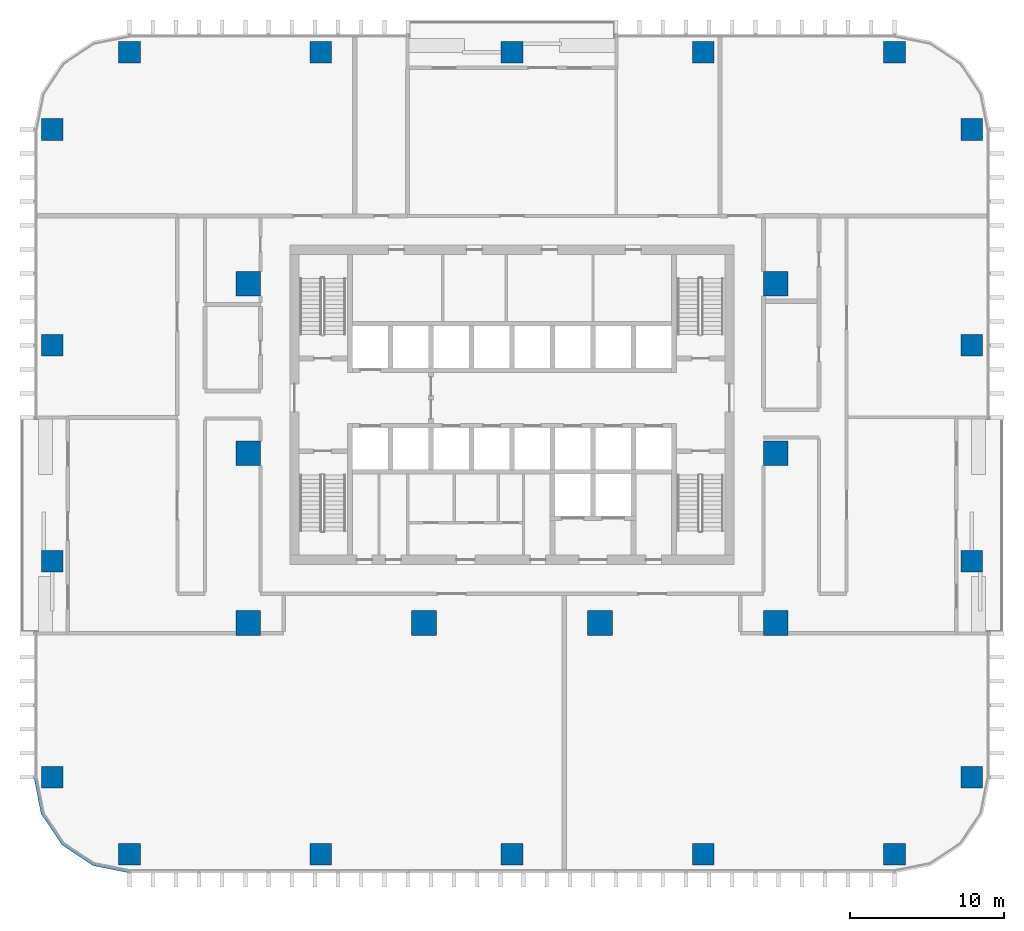
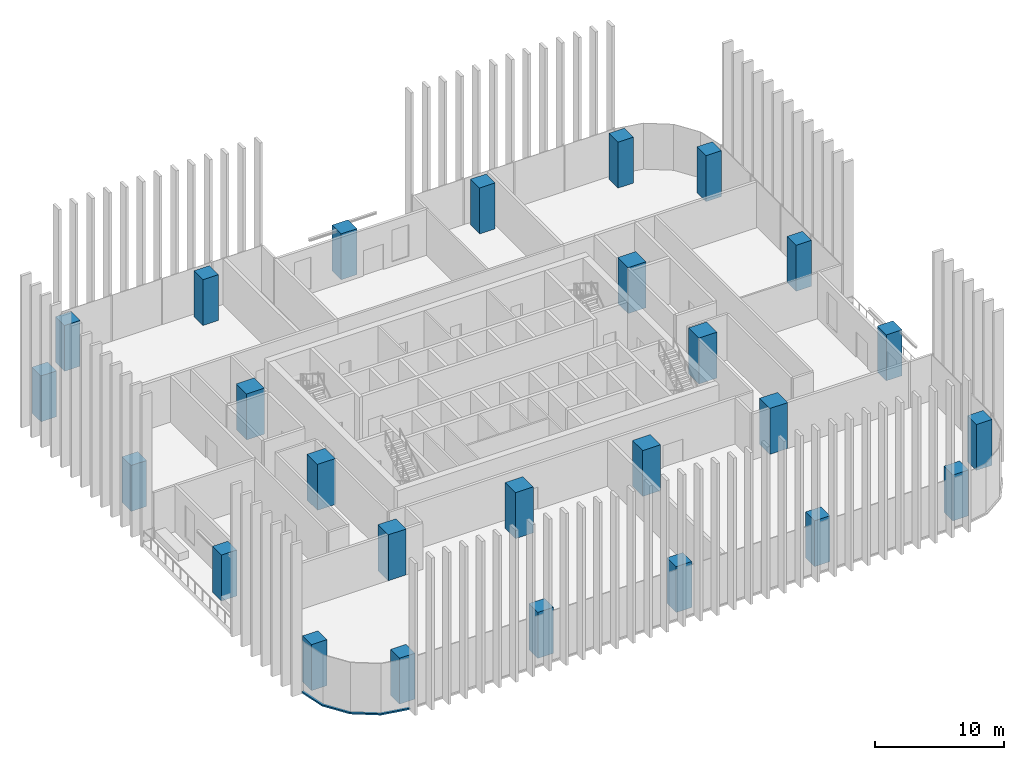
# One storey, part 1 of 17: 26 columns, 1 member, 1 element without a shape of its own.
"""IFC4 building model written with IfcOpenShell, lengths in metres."""

from ifc_helpers import new_model, si_unit, direction, frame, origin, origin_2d, place, context, subcontext, project, spatial, polyline, rectangle, outline, extrude, material, material_profile, profile_set, type_object, element, aggregate, save


model = new_model("IFC4")

# Units and contexts
model_context = context("Model", 3, precision=1e-05, world=origin(), true_north=direction((0.0, 1.0)))
body_context = subcontext(model_context, "Body", "Model", "MODEL_VIEW")
ifc_project = project(units=[si_unit("LENGTHUNIT", "METRE"), si_unit("AREAUNIT", "SQUARE_METRE"), si_unit("VOLUMEUNIT", "CUBIC_METRE"), si_unit("PLANEANGLEUNIT", "RADIAN"), si_unit("MASSUNIT", "GRAM", prefix="KILO")], contexts=[model_context])

# Site, building, storey
site_placement = place(None, origin())
site = spatial("IfcSite", under=ifc_project, at=site_placement, CompositionType="ELEMENT")
building_placement = place(site_placement, origin())
building = spatial("IfcBuilding", under=site, at=building_placement, Name="Mopane Tessera Tower", CompositionType="ELEMENT")
storey_placement = place(building_placement, frame((0.0, 0.0, 31.0)))
storey = spatial("IfcBuildingStorey", under=building, at=storey_placement, Name="L05", CompositionType="ELEMENT", Elevation=31.0)

# Columns
ifc_material_1 = material(Name="Concrete C60/75", Category="concrete")
ifc_material_profile_1 = material_profile(ifc_material_1, rectangle(XDim=1.60009765625, YDim=1.60009765625, at=origin_2d()))
ifc_profile_set_1 = profile_set([ifc_material_profile_1], Name="Concrete C60/75")
column_type_1 = type_object("IfcColumnType", Name="Interior column 1600 x 1600 C60/75", PredefinedType="COLUMN", material=ifc_profile_set_1)
for number, where, z_axis, x_axis, name in (
    (1, (-17.10009765625, -11.0, 0.0), (0.0, 0.0, 1.0), (1.0, 0.0, 0.0), "Interior column I1A L05"),
    (2, (-17.10009765625, 0.0, 0.0), (0.0, 0.0, 1.0), (1.0, 0.0, 0.0), "Interior column I1B L05"),
    (3, (-17.10009765625, 11.0, 0.0), (0.0, 0.0, 1.0), (1.0, 0.0, 0.0), "Interior column I1C L05"),
    (4, (-5.699951171875, -11.0, 0.0), (0.0, 0.0, 1.0), (1.0, 0.0, 0.0), "Interior column I2A L05"),
    (5, (5.699951171875, -11.0, 0.0), (0.0, 0.0, 1.0), (1.0, 0.0, 0.0), "Interior column I3A L05"),
    (6, (17.10009765625, -11.0, 0.0), (0.0, 0.0, 1.0), (1.0, 0.0, 0.0), "Interior column I4A L05"),
    (7, (17.10009765625, 0.0, 0.0), (0.0, 0.0, 1.0), (1.0, 0.0, 0.0), "Interior column I4B L05"),
    (8, (17.10009765625, 11.0, 0.0), (0.0, 0.0, 1.0), (1.0, 0.0, 0.0), "Interior column I4C L05"),
):
    element("IfcColumn", number, at=place(storey_placement, frame(where, z_axis=z_axis, x_axis=x_axis)), inside=storey, type_object=column_type_1, Name=name, PredefinedType="COLUMN", context=body_context, shape_type="SweptSolid", body=[
        extrude(rectangle(XDim=1.60009765625, YDim=1.60009765625, at=origin_2d()), origin(), (0.0, 0.0, 1.0), 4.35009765625),
    ])
ifc_material_2 = material(Name="Concrete C60/75", Category="concrete")
ifc_material_profile_2 = material_profile(ifc_material_2, rectangle(XDim=1.39990234375, YDim=1.39990234375, at=origin_2d()))
ifc_profile_set_2 = profile_set([ifc_material_profile_2], Name="Concrete C60/75")
column_type_2 = type_object("IfcColumnType", Name="Ring column 1400 x 1400 C60/75", PredefinedType="COLUMN", material=ifc_profile_set_2)
for number, where, z_axis, x_axis, name in (
    (9, (-24.800048828125, -26.0, 0.0), (0.0, 0.0, 1.0), (1.0, 0.0, 0.0), "Ring column S0 L05"),
    (10, (-12.39990234375, -26.0, 0.0), (0.0, 0.0, 1.0), (1.0, 0.0, 0.0), "Ring column S1 L05"),
    (11, (0.0, -26.0, 0.0), (0.0, 0.0, 1.0), (1.0, 0.0, 0.0), "Ring column S2 L05"),
    (12, (12.39990234375, -26.0, 0.0), (0.0, 0.0, 1.0), (1.0, 0.0, 0.0), "Ring column S3 L05"),
    (13, (24.800048828125, -26.0, 0.0), (0.0, 0.0, 1.0), (1.0, 0.0, 0.0), "Ring column S4 L05"),
    (14, (29.800048828125, -21.0, 0.0), (0.0, 0.0, 1.0), (1.0, 0.0, 0.0), "Ring column E0 L05"),
    (15, (29.800048828125, -7.0, 0.0), (0.0, 0.0, 1.0), (1.0, 0.0, 0.0), "Ring column E1 L05"),
    (16, (29.800048828125, 7.0, 0.0), (0.0, 0.0, 1.0), (1.0, 0.0, 0.0), "Ring column E2 L05"),
    (17, (29.800048828125, 21.0, 0.0), (0.0, 0.0, 1.0), (1.0, 0.0, 0.0), "Ring column E3 L05"),
    (18, (24.800048828125, 26.0, 0.0), (0.0, 0.0, 1.0), (1.0, 0.0, 0.0), "Ring column N0 L05"),
    (19, (12.39990234375, 26.0, 0.0), (0.0, 0.0, 1.0), (1.0, 0.0, 0.0), "Ring column N1 L05"),
    (20, (0.0, 26.0, 0.0), (0.0, 0.0, 1.0), (1.0, 0.0, 0.0), "Ring column N2 L05"),
    (21, (-12.39990234375, 26.0, 0.0), (0.0, 0.0, 1.0), (1.0, 0.0, 0.0), "Ring column N3 L05"),
    (22, (-24.800048828125, 26.0, 0.0), (0.0, 0.0, 1.0), (1.0, 0.0, 0.0), "Ring column N4 L05"),
    (23, (-29.800048828125, 21.0, 0.0), (0.0, 0.0, 1.0), (1.0, 0.0, 0.0), "Ring column W0 L05"),
    (24, (-29.800048828125, 7.0, 0.0), (0.0, 0.0, 1.0), (1.0, 0.0, 0.0), "Ring column W1 L05"),
    (25, (-29.800048828125, -7.0, 0.0), (0.0, 0.0, 1.0), (1.0, 0.0, 0.0), "Ring column W2 L05"),
    (26, (-29.800048828125, -21.0, 0.0), (0.0, 0.0, 1.0), (1.0, 0.0, 0.0), "Ring column W3 L05"),
):
    element("IfcColumn", number, at=place(storey_placement, frame(where, z_axis=z_axis, x_axis=x_axis)), inside=storey, type_object=column_type_2, Name=name, PredefinedType="COLUMN", context=body_context, shape_type="SweptSolid", body=[
        extrude(rectangle(XDim=1.39990234375, YDim=1.39990234375, at=origin_2d()), origin(), (0.0, 0.0, 1.0), 4.35009765625),
    ])

# Curtain wall, member
ifc_material_3 = material(Name="Aluminium frame", Category="aluminium")
curtain_wall_type = type_object("IfcCurtainWallType", Name="Lower tower unitised wall", PredefinedType="NOTDEFINED", material=ifc_material_3)
curtain_wall_placement = place(storey_placement, origin())
curtain_wall = element("IfcCurtainWall", 27, at=curtain_wall_placement, inside=storey, type_object=curtain_wall_type, Name="e:cw:L05:CW", PredefinedType="NOTDEFINED")
ifc_material_4 = material(Name="Aluminium frame", Category="aluminium")
ifc_material_profile_3 = material_profile(ifc_material_4, rectangle(XDim=0.199951171875, YDim=0.139892578125, at=origin_2d()))
ifc_profile_set_3 = profile_set([ifc_material_profile_3], Name="Aluminium frame")
member_type = type_object("IfcMemberType", Name="Aluminium transom 200 x 140", PredefinedType="USERDEFINED", material=ifc_profile_set_3)
member_placement = place(storey_placement, frame((0.0, 0.0, -0.449951171875)))
member = element("IfcMember", 28, at=member_placement, type_object=member_type, Name="e:cw:L05:CW:tr", ObjectType="TRANSOM", PredefinedType="USERDEFINED", context=body_context, shape_type="SweptSolid", body=[
    extrude(outline(polyline([(-30.800048828125, -21.0), (-30.34326171875, -23.296142578125), (-29.042724609375, -25.24267578125), (-27.09619140625, -26.543212890625), (-24.800048828125, -27.0), (-24.800048828125, -27.199951171875), (-27.172607421875, -26.72802734375), (-29.18408203125, -25.384033203125), (-30.528076171875, -23.37255859375), (-31.0, -21.0), (-30.800048828125, -21.0)])), origin(), (0.0, 0.0, 1.0), 0.139892578125),
])
aggregate(curtain_wall, [member])

save(model, "model.ifc")
